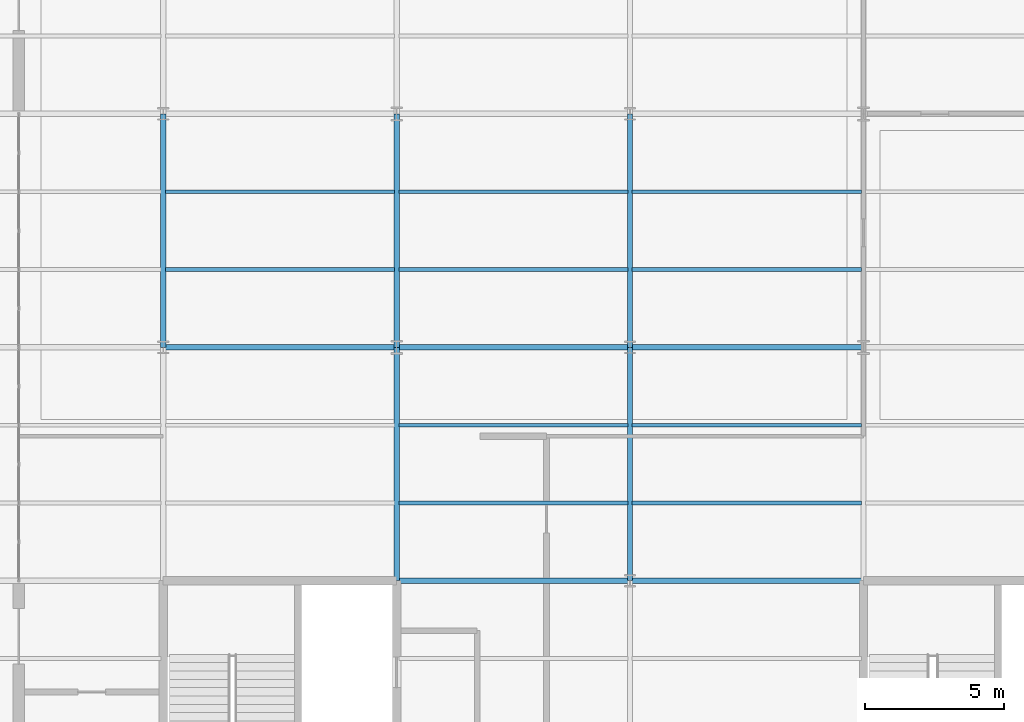
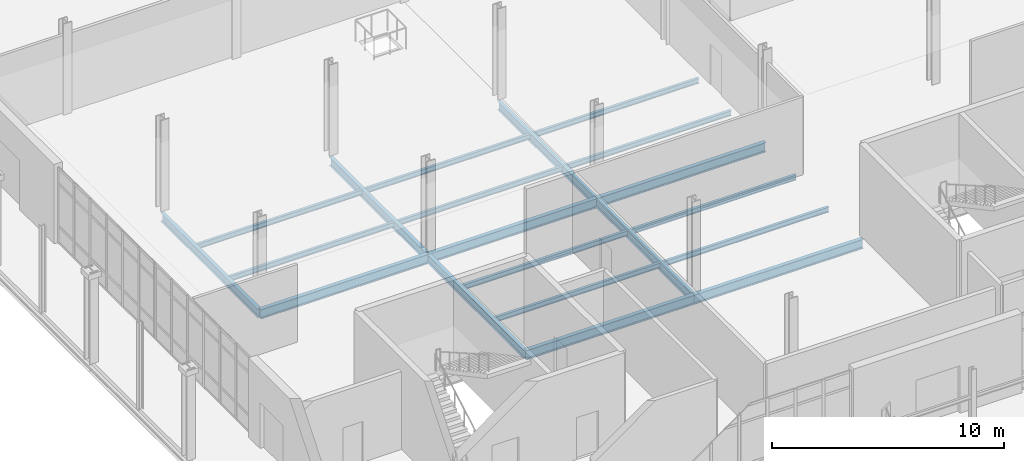
# One storey, part 28 of 145: 20 beams.
"""IFC4 building model written with IfcOpenShell, lengths in metres."""

import ifcopenshell
import ifcopenshell.guid

model = None  # the IFC model being written
_history = None  # IfcOwnerHistory: only IFC2X3 demands one
_inside = {}  # id of a spatial element -> (the spatial element, [elements in it])
_under = {}  # id of a project, library or spatial element -> (it, [spatial elements below it])
_declared = {}  # id of a project -> (the project, [libraries it declares])
_typed = {}  # id of a type object -> (the type object, [elements of that type])
_made_of = {}  # id of a material, layer set ... -> (it, [elements and type objects made of it])


def new_model(schema):
    """Start an empty IFC model of exactly this schema.

    Asked for "IFC4X3", IfcOpenShell would pick the latest addendum, in which some entities
    have other attributes; the version numbers below select the first issue.
    IFC2X3 requires an IfcOwnerHistory on every rooted entity: one is made here for all.
    """
    global model, _history
    if schema == "IFC4X3":
        model = ifcopenshell.file(schema_version=(4, 3, 0, 0))
    else:
        model = ifcopenshell.file(schema=schema)
    _inside.clear()
    _under.clear()
    _declared.clear()
    _typed.clear()
    _made_of.clear()
    _history = None
    if model.schema == "IFC2X3":
        org = make("IfcOrganization", Name="unknown")
        user = make(
            "IfcPersonAndOrganization",
            ThePerson=make("IfcPerson", FamilyName="unknown"),
            TheOrganization=org,
        )
        app = make(
            "IfcApplication",
            ApplicationDeveloper=org,
            Version="unknown",
            ApplicationFullName="unknown",
            ApplicationIdentifier="unknown",
        )
        _history = make(
            "IfcOwnerHistory",
            OwningUser=user,
            OwningApplication=app,
            ChangeAction="ADDED",
            CreationDate=0,
        )
    return model


def make(cls, **values):
    """One entity of the class cls with the attributes given. An attribute that is None is left unset."""
    return model.create_entity(
        cls, **{name: value for name, value in values.items() if value is not None}
    )


def rooted(cls, **values):
    """An entity with a GlobalId (a new one), such as an element, a storey or a relation."""
    return make(cls, GlobalId=ifcopenshell.guid.new(), OwnerHistory=_history, **values)


def si_unit(unit_type, name, prefix=None):
    """IfcSIUnit, for example si_unit("LENGTHUNIT", "METRE", prefix="MILLI")."""
    return make("IfcSIUnit", UnitType=unit_type, Prefix=prefix, Name=name)


def assignment(units):
    """IfcUnitAssignment: the units of a project."""
    return None if units is None else make("IfcUnitAssignment", Units=units)


def point(xyz):
    """IfcCartesianPoint."""
    return None if xyz is None else make("IfcCartesianPoint", Coordinates=xyz)


def direction(xyz):
    """IfcDirection."""
    return None if xyz is None else make("IfcDirection", DirectionRatios=xyz)


def frame(location, z_axis=None, x_axis=None):
    """IfcAxis2Placement3D, a coordinate frame: its origin and axes. An axis left out is left unset."""
    return make(
        "IfcAxis2Placement3D",
        Location=point(location),
        Axis=direction(z_axis),
        RefDirection=direction(x_axis),
    )


def frame_2d(location, x_axis=None):
    """IfcAxis2Placement2D, a coordinate frame in the plane: its origin and x axis."""
    return make(
        "IfcAxis2Placement2D", Location=point(location), RefDirection=direction(x_axis)
    )


def origin():
    """The frame at (0, 0, 0) with its axes left unset."""
    return frame((0.0, 0.0, 0.0))


def origin_2d():
    """The frame at (0, 0) in the plane with its x axis left unset."""
    return frame_2d((0.0, 0.0))


def place(relative_to, where):
    """IfcLocalPlacement: puts the frame where relative to a parent placement (None: the world)."""
    return make(
        "IfcLocalPlacement", PlacementRelTo=relative_to, RelativePlacement=where
    )


def context(
    kind, dimensions, precision=None, world=None, true_north=None, identifier=None
):
    """IfcGeometricRepresentationContext, for example the 3D "Model" context."""
    return make(
        "IfcGeometricRepresentationContext",
        ContextIdentifier=identifier,
        ContextType=kind,
        CoordinateSpaceDimension=dimensions,
        Precision=precision,
        WorldCoordinateSystem=world,
        TrueNorth=true_north,
    )


def subcontext(parent, identifier, kind, view, scale=None):
    """IfcGeometricRepresentationSubContext, for example "Body" below "Model"."""
    return make(
        "IfcGeometricRepresentationSubContext",
        ContextIdentifier=identifier,
        ContextType=kind,
        ParentContext=parent,
        TargetScale=scale,
        TargetView=view,
    )


def project(units=None, contexts=None):
    """IfcProject with its units and contexts."""
    return rooted(
        "IfcProject",
        Name="project",
        RepresentationContexts=contexts,
        UnitsInContext=assignment(units),
    )


def spatial(cls, under=None, at=None, **own):
    """A site, building, storey or space (cls), placed at a placement, below another one or the project."""
    s = rooted(cls, ObjectPlacement=at, **own)
    if under is not None:
        _under.setdefault(under.id(), (under, []))[1].append(s)
    return s


def profile(cls, at=None, kind="AREA", **sizes):
    """A parametric profile (cls). Its sizes go by their IFC names, for example OverallWidth=200.0."""
    return make(cls, ProfileType=kind, Position=at, **sizes)


def i_section(**sizes):
    """IfcIShapeProfileDef."""
    return profile("IfcIShapeProfileDef", **sizes)


def extrude(swept, where, along, depth):
    """IfcExtrudedAreaSolid: the profile swept, set in the frame where, extruded along a direction by depth."""
    return make(
        "IfcExtrudedAreaSolid",
        SweptArea=swept,
        Position=where,
        ExtrudedDirection=direction(along),
        Depth=depth,
    )


def shape(context_of_items, identifier, shape_type, items):
    """IfcShapeRepresentation: the items that make up one representation, for example the "Body"."""
    return make(
        "IfcShapeRepresentation",
        ContextOfItems=context_of_items,
        RepresentationIdentifier=identifier,
        RepresentationType=shape_type,
        Items=items,
    )


def material(Name=None, Category=None):
    """IfcMaterial."""
    return make("IfcMaterial", Name=Name, Category=Category)


def material_profile(
    of_material, cross_section, Name=None, Category=None, Priority=None
):
    """IfcMaterialProfile: a cross section and its material."""
    return make(
        "IfcMaterialProfile",
        Name=Name,
        Material=of_material,
        Profile=cross_section,
        Priority=Priority,
        Category=Category,
    )


def profile_set(profiles, Name=None, composite=None):
    """IfcMaterialProfileSet."""
    return make(
        "IfcMaterialProfileSet",
        Name=Name,
        MaterialProfiles=profiles,
        CompositeProfile=composite,
    )


def made_of(thing, what):
    """Note that an element or type object is made of a material, layer set ...; save() writes the relation."""
    if what is not None:
        _made_of.setdefault(what.id(), (what, []))[1].append(thing)
    return thing


def type_object(cls, material=None, **own):
    """A type object (cls), such as IfcWallType, which elements share."""
    return made_of(rooted(cls, **own), material)


def element(
    cls,
    number,
    at=None,
    inside=None,
    cuts=None,
    type_object=None,
    material=None,
    context=None,
    identifier="Body",
    shape_type=None,
    held_by="IfcProductDefinitionShape",
    body=None,
    shapes=None,
    **own,
):
    """One element of the class cls, such as IfcWall. Its Tag is "e" and its number.

    at: its placement. inside: the storey or other place that contains it. cuts: it is an
    opening in that element (IfcRelVoidsElement). A single representation is given by context,
    identifier, shape_type and body (its items); several are given by shapes. held_by: the class
    of the entity that holds the representations. save() writes the other relations.
    """
    e = rooted(cls, Tag="e%d" % number, ObjectPlacement=at, **own)
    if body is not None:
        shapes = [shape(context, identifier, shape_type, body)]
    if shapes is not None:
        e.Representation = make(held_by, Representations=shapes)
    if inside is not None:
        _inside.setdefault(inside.id(), (inside, []))[1].append(e)
    if cuts is not None:
        rooted(
            "IfcRelVoidsElement", RelatingBuildingElement=cuts, RelatedOpeningElement=e
        )
    if type_object is not None:
        _typed.setdefault(type_object.id(), (type_object, []))[1].append(e)
    return made_of(e, material)


def aggregate(whole, parts):
    """IfcRelAggregates: a whole, such as a stair, and the parts it consists of."""
    return rooted("IfcRelAggregates", RelatingObject=whole, RelatedObjects=parts)


def save(model, path):
    """Write the relations noted so far, then the file.

    IfcRelAggregates (storeys below a building ...), IfcRelContainedInSpatialStructure (elements
    in a storey), IfcRelDefinesByType, IfcRelAssociatesMaterial and IfcRelDeclares: one each for
    every whole, place, type object, material and project.
    """
    for whole, parts in _under.values():
        aggregate(whole, parts)
    for where, things in _inside.values():
        rooted(
            "IfcRelContainedInSpatialStructure",
            RelatedElements=things,
            RelatingStructure=where,
        )
    for kind, things in _typed.values():
        rooted("IfcRelDefinesByType", RelatedObjects=things, RelatingType=kind)
    for what, things in _made_of.values():
        rooted("IfcRelAssociatesMaterial", RelatedObjects=things, RelatingMaterial=what)
    for by, libraries in _declared.values():
        rooted("IfcRelDeclares", RelatingContext=by, RelatedDefinitions=libraries)
    model.write(path)


model = new_model("IFC4")

# Units and contexts
model_context = context("Model", 3, precision=1e-05, world=origin(), true_north=direction((0.0, 1.0)))
body_context = subcontext(model_context, "Body", "Model", "MODEL_VIEW")
ifc_project = project(units=[si_unit("LENGTHUNIT", "METRE"), si_unit("AREAUNIT", "SQUARE_METRE"), si_unit("VOLUMEUNIT", "CUBIC_METRE"), si_unit("PLANEANGLEUNIT", "RADIAN"), si_unit("MASSUNIT", "GRAM", prefix="KILO")], contexts=[model_context])

# Site, building, storey
site_placement = place(None, origin())
site = spatial("IfcSite", under=ifc_project, at=site_placement, CompositionType="ELEMENT")
building_placement = place(site_placement, origin())
building = spatial("IfcBuilding", under=site, at=building_placement, Name="Qalvenar Corner Mobility Hub", CompositionType="ELEMENT")
storey_placement = place(building_placement, origin())
storey = spatial("IfcBuildingStorey", under=building, at=storey_placement, Name="L00", CompositionType="ELEMENT", Elevation=0.0)

# Beams
ifc_material = material(Name="Steel S355", Category="steel")
ifc_material_profile_1 = material_profile(ifc_material, i_section(OverallWidth=0.18994140625, OverallDepth=0.449951171875, WebThickness=0.009521484375, FlangeThickness=0.0146484375, FilletRadius=0.02099609375, at=origin_2d()), Name="IPE450")
ifc_profile_set_1 = profile_set([ifc_material_profile_1], Name="Steel S355")
beam_type_1 = type_object("IfcBeamType", Name="BM-IPE450", PredefinedType="BEAM", material=ifc_profile_set_1)
beam_1_placement = place(storey_placement, frame((8.39990234375, 25.199951171875, -0.445068359375), z_axis=(0.0, 1.0, 0.0), x_axis=(-1.0, 0.0, 0.0)))
element("IfcBeam", 1, at=beam_1_placement, inside=storey, type_object=beam_type_1, Name="Primary Steel Girder GY-0045", PredefinedType="BEAM", context=body_context, shape_type="SweptSolid", body=[
    extrude(i_section(OverallWidth=0.18994140625, OverallDepth=0.449951171875, WebThickness=0.009521484375, FlangeThickness=0.0146484375, FilletRadius=0.02099609375, at=origin_2d()), origin(), (0.0, 0.0, 1.0), 8.400146484375),
])
beam_2_placement = place(storey_placement, frame((16.800048828125, 16.800048828125, -0.445068359375), z_axis=(0.0, 1.0, 0.0), x_axis=(-1.0, 0.0, 0.0)))
element("IfcBeam", 2, at=beam_2_placement, inside=storey, type_object=beam_type_1, Name="Primary Steel Girder GY-0049", PredefinedType="BEAM", context=body_context, shape_type="SweptSolid", body=[
    extrude(i_section(OverallWidth=0.18994140625, OverallDepth=0.449951171875, WebThickness=0.009521484375, FlangeThickness=0.0146484375, FilletRadius=0.02099609375, at=origin_2d()), origin(), (0.0, 0.0, 1.0), 8.39990234375),
])
beam_3_placement = place(storey_placement, frame((16.800048828125, 25.199951171875, -0.445068359375), z_axis=(0.0, 1.0, 0.0), x_axis=(-1.0, 0.0, 0.0)))
element("IfcBeam", 3, at=beam_3_placement, inside=storey, type_object=beam_type_1, Name="Primary Steel Girder GY-0050", PredefinedType="BEAM", context=body_context, shape_type="SweptSolid", body=[
    extrude(i_section(OverallWidth=0.18994140625, OverallDepth=0.449951171875, WebThickness=0.009521484375, FlangeThickness=0.0146484375, FilletRadius=0.02099609375, at=origin_2d()), origin(), (0.0, 0.0, 1.0), 8.400146484375),
])
beam_4_placement = place(storey_placement, frame((25.199951171875, 16.800048828125, -0.445068359375), z_axis=(0.0, 1.0, 0.0), x_axis=(-1.0, 0.0, 0.0)))
element("IfcBeam", 4, at=beam_4_placement, inside=storey, type_object=beam_type_1, Name="Primary Steel Girder GY-0054", PredefinedType="BEAM", context=body_context, shape_type="SweptSolid", body=[
    extrude(i_section(OverallWidth=0.18994140625, OverallDepth=0.449951171875, WebThickness=0.009521484375, FlangeThickness=0.0146484375, FilletRadius=0.02099609375, at=origin_2d()), origin(), (0.0, 0.0, 1.0), 8.39990234375),
])
beam_5_placement = place(storey_placement, frame((25.199951171875, 25.199951171875, -0.445068359375), z_axis=(0.0, 1.0, 0.0), x_axis=(-1.0, 0.0, 0.0)))
element("IfcBeam", 5, at=beam_5_placement, inside=storey, type_object=beam_type_1, Name="Primary Steel Girder GY-0055", PredefinedType="BEAM", context=body_context, shape_type="SweptSolid", body=[
    extrude(i_section(OverallWidth=0.18994140625, OverallDepth=0.449951171875, WebThickness=0.009521484375, FlangeThickness=0.0146484375, FilletRadius=0.02099609375, at=origin_2d()), origin(), (0.0, 0.0, 1.0), 8.400146484375),
])
ifc_material_profile_2 = material_profile(ifc_material, i_section(OverallWidth=0.199951171875, OverallDepth=0.5, WebThickness=0.01025390625, FlangeThickness=0.01611328125, FilletRadius=0.02099609375, at=origin_2d()), Name="IPE500")
ifc_profile_set_2 = profile_set([ifc_material_profile_2], Name="Steel S355")
beam_type_2 = type_object("IfcBeamType", Name="BM-IPE500", PredefinedType="BEAM", material=ifc_profile_set_2)
beam_6_placement = place(storey_placement, frame((16.800048828125, 16.800048828125, -0.469970703125), z_axis=(1.0, 0.0, 0.0), x_axis=(0.0, 1.0, 0.0)))
element("IfcBeam", 6, at=beam_6_placement, inside=storey, type_object=beam_type_2, Name="Primary Steel Girder GX-0015", PredefinedType="BEAM", context=body_context, shape_type="SweptSolid", body=[
    extrude(i_section(OverallWidth=0.199951171875, OverallDepth=0.5, WebThickness=0.01025390625, FlangeThickness=0.01611328125, FilletRadius=0.02099609375, at=origin_2d()), origin(), (0.0, 0.0, 1.0), 8.39990234375),
])
for number, where, z_axis, x_axis, name in (
    (7, (25.199951171875, 16.800048828125, -0.469970703125), (1.0, 0.0, 0.0), (0.0, 1.0, 0.0), "Primary Steel Girder GX-0016"),
    (8, (8.39990234375, 25.199951171875, -0.469970703125), (1.0, 0.0, 0.0), (0.0, 1.0, 0.0), "Primary Steel Girder GX-0020"),
):
    element("IfcBeam", number, at=place(storey_placement, frame(where, z_axis=z_axis, x_axis=x_axis)), inside=storey, type_object=beam_type_2, Name=name, PredefinedType="BEAM", context=body_context, shape_type="SweptSolid", body=[
        extrude(i_section(OverallWidth=0.199951171875, OverallDepth=0.5, WebThickness=0.01025390625, FlangeThickness=0.01611328125, FilletRadius=0.02099609375, at=origin_2d()), origin(), (0.0, 0.0, 1.0), 8.400146484375),
    ])
beam_7_placement = place(storey_placement, frame((16.800048828125, 25.199951171875, -0.469970703125), z_axis=(1.0, 0.0, 0.0), x_axis=(0.0, 1.0, 0.0)))
element("IfcBeam", 9, at=beam_7_placement, inside=storey, type_object=beam_type_2, Name="Primary Steel Girder GX-0021", PredefinedType="BEAM", context=body_context, shape_type="SweptSolid", body=[
    extrude(i_section(OverallWidth=0.199951171875, OverallDepth=0.5, WebThickness=0.01025390625, FlangeThickness=0.01611328125, FilletRadius=0.02099609375, at=origin_2d()), origin(), (0.0, 0.0, 1.0), 8.39990234375),
])
beam_8_placement = place(storey_placement, frame((25.199951171875, 25.199951171875, -0.469970703125), z_axis=(1.0, 0.0, 0.0), x_axis=(0.0, 1.0, 0.0)))
element("IfcBeam", 10, at=beam_8_placement, inside=storey, type_object=beam_type_2, Name="Primary Steel Girder GX-0022", PredefinedType="BEAM", context=body_context, shape_type="SweptSolid", body=[
    extrude(i_section(OverallWidth=0.199951171875, OverallDepth=0.5, WebThickness=0.01025390625, FlangeThickness=0.01611328125, FilletRadius=0.02099609375, at=origin_2d()), origin(), (0.0, 0.0, 1.0), 8.400146484375),
])
ifc_material_profile_3 = material_profile(ifc_material, i_section(OverallWidth=0.135009765625, OverallDepth=0.27001953125, WebThickness=0.006591796875, FlangeThickness=0.01025390625, FilletRadius=0.014892578125, at=origin_2d()), Name="IPE270")
ifc_profile_set_3 = profile_set([ifc_material_profile_3], Name="Steel S355")
beam_type_3 = type_object("IfcBeamType", Name="BM-JST270", PredefinedType="JOIST", material=ifc_profile_set_3)
for number, where, z_axis, x_axis, name in (
    (11, (8.47802734375, 28.0, -0.35498046875), (1.0, 0.0, 0.0), (0.0, 1.0, 0.0), "Composite Floor Joist J-0087"),
    (12, (8.47802734375, 30.800048828125, -0.35498046875), (1.0, 0.0, 0.0), (0.0, 1.0, 0.0), "Composite Floor Joist J-0088"),
):
    element("IfcBeam", number, at=place(storey_placement, frame(where, z_axis=z_axis, x_axis=x_axis)), inside=storey, type_object=beam_type_3, Name=name, PredefinedType="JOIST", context=body_context, shape_type="SweptSolid", body=[
        extrude(i_section(OverallWidth=0.135009765625, OverallDepth=0.27001953125, WebThickness=0.006591796875, FlangeThickness=0.01025390625, FilletRadius=0.014892578125, at=origin_2d()), origin(), (0.0, 0.0, 1.0), 8.243896484375),
    ])
for number, where, z_axis, x_axis, name in (
    (13, (16.8779296875, 19.60009765625, -0.35498046875), (1.0, 0.0, 0.0), (0.0, 1.0, 0.0), "Composite Floor Joist J-0095"),
    (14, (16.8779296875, 22.39990234375, -0.35498046875), (1.0, 0.0, 0.0), (0.0, 1.0, 0.0), "Composite Floor Joist J-0096"),
    (15, (16.8779296875, 28.0, -0.35498046875), (1.0, 0.0, 0.0), (0.0, 1.0, 0.0), "Composite Floor Joist J-0097"),
    (16, (16.8779296875, 30.800048828125, -0.35498046875), (1.0, 0.0, 0.0), (0.0, 1.0, 0.0), "Composite Floor Joist J-0098"),
):
    element("IfcBeam", number, at=place(storey_placement, frame(where, z_axis=z_axis, x_axis=x_axis)), inside=storey, type_object=beam_type_3, Name=name, PredefinedType="JOIST", context=body_context, shape_type="SweptSolid", body=[
        extrude(i_section(OverallWidth=0.135009765625, OverallDepth=0.27001953125, WebThickness=0.006591796875, FlangeThickness=0.01025390625, FilletRadius=0.014892578125, at=origin_2d()), origin(), (0.0, 0.0, 1.0), 8.244140625),
    ])
for number, where, z_axis, x_axis, name in (
    (17, (25.278076171875, 19.60009765625, -0.35498046875), (1.0, 0.0, 0.0), (0.0, 1.0, 0.0), "Composite Floor Joist J-0105"),
    (18, (25.278076171875, 22.39990234375, -0.35498046875), (1.0, 0.0, 0.0), (0.0, 1.0, 0.0), "Composite Floor Joist J-0106"),
    (19, (25.278076171875, 28.0, -0.35498046875), (1.0, 0.0, 0.0), (0.0, 1.0, 0.0), "Composite Floor Joist J-0107"),
    (20, (25.278076171875, 30.800048828125, -0.35498046875), (1.0, 0.0, 0.0), (0.0, 1.0, 0.0), "Composite Floor Joist J-0108"),
):
    element("IfcBeam", number, at=place(storey_placement, frame(where, z_axis=z_axis, x_axis=x_axis)), inside=storey, type_object=beam_type_3, Name=name, PredefinedType="JOIST", context=body_context, shape_type="SweptSolid", body=[
        extrude(i_section(OverallWidth=0.135009765625, OverallDepth=0.27001953125, WebThickness=0.006591796875, FlangeThickness=0.01025390625, FilletRadius=0.014892578125, at=origin_2d()), origin(), (0.0, 0.0, 1.0), 8.243896484375),
    ])

save(model, "model.ifc")
